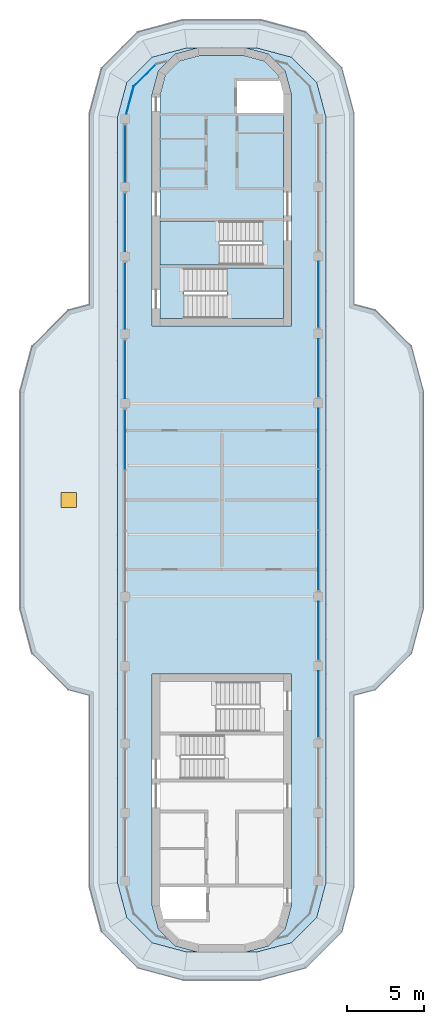
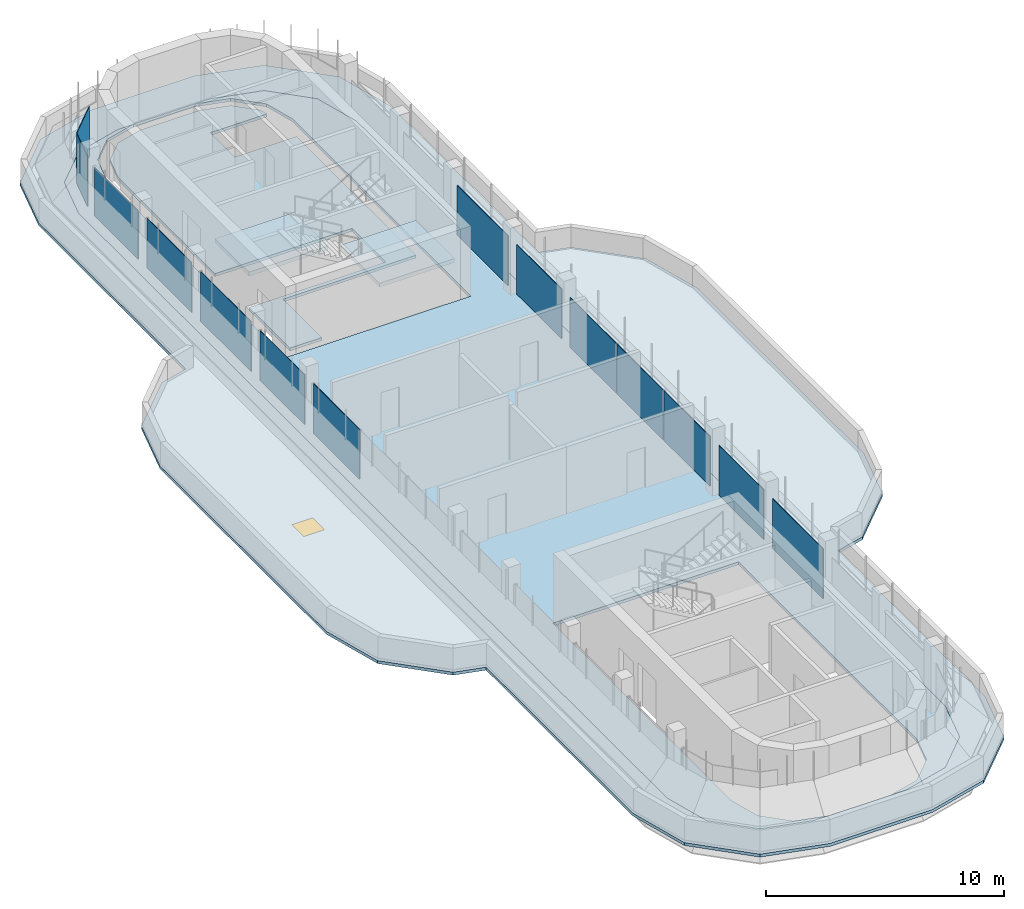
# One storey, part 6 of 12: 14 plates, 5 slabs, 1 window, 1 opening, 6 elements without a shape of their own.
"""IFC4 building model written with IfcOpenShell, lengths in metres."""

from ifc_helpers import new_model, si_unit, direction, frame, origin, origin_2d, place, context, subcontext, project, spatial, polyline, rectangle, outline, extrude, source, transform, mapped, material, layer, layer_set, type_object, element, fill, aggregate, save


model = new_model("IFC4")

# Units and contexts
model_context = context("Model", 3, precision=1e-05, world=origin(), true_north=direction((0.0, 1.0)))
body_context = subcontext(model_context, "Body", "Model", "MODEL_VIEW")
ifc_project = project(units=[si_unit("LENGTHUNIT", "METRE"), si_unit("AREAUNIT", "SQUARE_METRE"), si_unit("VOLUMEUNIT", "CUBIC_METRE"), si_unit("PLANEANGLEUNIT", "RADIAN"), si_unit("MASSUNIT", "GRAM", prefix="KILO")], contexts=[model_context])

# Site, building, storey
site_placement = place(None, origin())
site = spatial("IfcSite", under=ifc_project, at=site_placement, CompositionType="ELEMENT")
building_placement = place(site_placement, origin())
building = spatial("IfcBuilding", under=site, at=building_placement, Name="Zarbagh Exchange Tower", CompositionType="ELEMENT")
storey_placement = place(building_placement, frame((0.0, 0.0, 306.0)))
storey = spatial("IfcBuildingStorey", under=building, at=storey_placement, Name="L75", CompositionType="ELEMENT", Elevation=306.0)

# Slabs
ifc_material_1 = material(Name="Concrete C40/50", Category="concrete")
ifc_layer_1 = layer(ifc_material_1, 0.14990234375)
ifc_layer_set_1 = layer_set([ifc_layer_1], Name="Composite floor slab 150 C40/50")
slab_type_1 = type_object("IfcSlabType", Name="Composite floor slab 150 C40/50", PredefinedType="FLOOR", material=ifc_layer_set_1)
slab_1_placement = place(storey_placement, frame((0.0, 0.0, -0.14990234375)))
element("IfcSlab", 1, at=slab_1_placement, inside=storey, type_object=slab_type_1, Name="S5 composite floor slab", PredefinedType="FLOOR", context=body_context, shape_type="SweptSolid", body=[
    extrude(outline(polyline([(1.5, -29.25), (3.0, -28.84814453125), (4.09814453125, -27.75), (4.5, -26.25), (4.5, -11.25), (-4.5, -11.25), (-4.5, -26.25), (-4.09814453125, -27.75), (-3.0, -28.84814453125), (-1.5, -29.25), (-2.25, -29.25), (-4.5, -28.647216796875), (-6.147216796875, -27.0), (-6.75, -24.75), (-6.75, 24.75), (-6.147216796875, 27.0), (-4.5, 28.647216796875), (-2.25, 29.25), (-1.5, 29.25), (-3.0, 28.84814453125), (-4.09814453125, 27.75), (-4.5, 26.25), (-4.5, 11.25), (4.5, 11.25), (4.5, 26.25), (4.09814453125, 27.75), (3.0, 28.84814453125), (1.5, 29.25), (2.25, 29.25), (4.5, 28.647216796875), (6.147216796875, 27.0), (6.75, 24.75), (6.75, -24.75), (6.147216796875, -27.0), (4.5, -28.647216796875), (2.25, -29.25), (1.5, -29.25)])), origin(), (0.0, 0.0, 1.0), 0.14990234375),
])
ifc_layer_2 = layer(ifc_material_1, 0.14990234375)
ifc_layer_set_2 = layer_set([ifc_layer_2], Name="Core floor slab 150 C40/50")
slab_type_2 = type_object("IfcSlabType", Name="Core floor slab 150 C40/50", PredefinedType="FLOOR", material=ifc_layer_set_2)
slab_2_placement = place(storey_placement, frame((0.0, 0.0, -0.14990234375)))
element("IfcSlab", 2, at=slab_2_placement, inside=storey, type_object=slab_type_2, Name="S17 core N", PredefinedType="FLOOR", context=body_context, shape_type="SweptSolid", body=[
    extrude(outline(polyline([(-4.0, 11.75), (-4.0, 15.199951171875), (2.64990234375, 15.199951171875), (2.64990234375, 18.050048828125), (-4.0, 18.050048828125), (-4.0, 26.18408203125), (-3.64990234375, 27.4912109375), (-2.7412109375, 28.39990234375), (-1.43408203125, 28.75), (1.43408203125, 28.75), (2.7412109375, 28.39990234375), (3.64990234375, 27.4912109375), (3.857666015625, 26.715087890625), (3.754638671875, 27.10009765625), (1.0, 27.10009765625), (1.0, 25.050048828125), (4.0, 25.050048828125), (4.0, 15.0), (-2.449951171875, 15.0), (-2.449951171875, 11.75), (-4.0, 11.75)])), origin(), (0.0, 0.0, 1.0), 0.14990234375),
])

# Slab, opening, window
ifc_layer_3 = layer(ifc_material_1, 0.14990234375)
ifc_layer_set_3 = layer_set([ifc_layer_3], Name="Crown terrace roof slab 150 C40/50")
slab_type_3 = type_object("IfcSlabType", Name="Crown terrace roof slab 150 C40/50", PredefinedType="ROOF", material=ifc_layer_set_3)
slab_3_placement = place(storey_placement, frame((0.0, 0.0, -0.14990234375)))
slab_3 = element("IfcSlab", 3, at=slab_3_placement, inside=storey, type_object=slab_type_3, Name="S11 crown terrace roof slab", PredefinedType="ROOF", context=body_context, shape_type="SweptSolid", body=[
    extrude(outline(polyline([(-2.487060546875, -31.050048828125), (-5.431640625, -30.260986328125), (-7.760986328125, -27.931640625), (-8.550048828125, -24.987060546875), (-8.550048828125, -12.631103515625), (-9.931640625, -12.260986328125), (-12.260986328125, -9.931640625), (-13.050048828125, -6.987060546875), (-13.050048828125, 6.987060546875), (-12.260986328125, 9.931640625), (-9.931640625, 12.260986328125), (-8.550048828125, 12.631103515625), (-8.550048828125, 24.987060546875), (-7.760986328125, 27.931640625), (-5.431640625, 30.260986328125), (-2.487060546875, 31.050048828125), (2.487060546875, 31.050048828125), (5.431640625, 30.260986328125), (7.760986328125, 27.931640625), (8.550048828125, 24.987060546875), (8.550048828125, 12.631103515625), (9.931640625, 12.260986328125), (12.260986328125, 9.931640625), (13.050048828125, 6.987060546875), (13.050048828125, -6.987060546875), (12.260986328125, -9.931640625), (9.931640625, -12.260986328125), (8.550048828125, -12.631103515625), (8.550048828125, -24.987060546875), (7.760986328125, -27.931640625), (5.431640625, -30.260986328125), (2.487060546875, -31.050048828125), (-2.487060546875, -31.050048828125)]), holes=[polyline([(4.5, -28.647216796875), (6.147216796875, -27.0), (6.75, -24.75), (6.75, 24.75), (6.147216796875, 27.0), (4.5, 28.647216796875), (2.25, 29.25), (-2.25, 29.25), (-4.5, 28.647216796875), (-6.147216796875, 27.0), (-6.75, 24.75), (-6.75, -24.75), (-6.147216796875, -27.0), (-4.5, -28.647216796875), (-2.25, -29.25), (2.25, -29.25), (4.5, -28.647216796875)])]), origin(), (0.0, 0.0, 1.0), 0.14990234375),
])
opening_placement = place(slab_3_placement, frame((-9.89990234375, 0.0, 0.0)))
opening = element("IfcOpeningElement", 4, at=opening_placement, cuts=slab_3, Name="Opening RH01", PredefinedType="OPENING", context=body_context, shape_type="SweptSolid", body=[
    extrude(rectangle(XDim=1.0, YDim=1.0, at=origin_2d()), frame((0.0, 0.0, -0.010009765625)), (0.0, 0.0, 1.0), 0.169921875),
])
ifc_material_2 = material(Name="Aluminium", Category="aluminium")
window_type = type_object("IfcWindowType", Name="Roof access hatch, insulated aluminium", PartitioningType="SINGLE_PANEL", PredefinedType="SKYLIGHT", material=ifc_material_2)
window_placement = place(opening_placement, frame((0.0, 0.0, 0.099853515625)))
window = element("IfcWindow", 5, at=window_placement, inside=storey, type_object=window_type, Name="RH01 roof access hatch", OverallHeight=1.0, OverallWidth=1.0, PartitioningType="SINGLE_PANEL", PredefinedType="SKYLIGHT", context=body_context, shape_type="SweptSolid", body=[
    extrude(rectangle(XDim=1.0, YDim=1.0, at=origin_2d()), origin(), (0.0, 0.0, 1.0), 0.050048828125),
])
fill(opening, window)

# Stair, slab
stair_type = type_object("IfcStairType", Name="Exit stair two-flight half-turn", PredefinedType="HALF_TURN_STAIR", material=ifc_material_1)
stair_1_placement = place(storey_placement, origin())
stair_1 = element("IfcStair", 6, at=stair_1_placement, inside=storey, type_object=stair_type, Name="exit stair ST1", PredefinedType="HALF_TURN_STAIR")
ifc_layer_4 = layer(ifc_material_1, 0.199951171875)
ifc_layer_set_4 = layer_set([ifc_layer_4], Name="Stair landing 200 mm")
slab_type_4 = type_object("IfcSlabType", Name="Stair landing 200 mm", PredefinedType="LANDING", material=ifc_layer_set_4)
slab_4_placement = place(storey_placement, frame((0.0, 0.0, 1.60009765625)))
slab_4 = element("IfcSlab", 7, at=slab_4_placement, type_object=slab_type_4, Name="ST1 landing 1", PredefinedType="LANDING", context=body_context, shape_type="SweptSolid", body=[
    extrude(outline(polyline([(-0.14990234375, 18.050048828125), (-4.0, 18.050048828125), (-4.0, 15.199951171875), (-0.14990234375, 15.199951171875), (-0.14990234375, 18.050048828125)])), origin(), (0.0, 0.0, 1.0), 0.199951171875),
])
aggregate(stair_1, [slab_4])

stair_2_placement = place(storey_placement, origin())
stair_2 = element("IfcStair", 8, at=stair_2_placement, inside=storey, type_object=stair_type, Name="exit stair ST2", PredefinedType="HALF_TURN_STAIR")
slab_5_placement = place(storey_placement, frame((0.0, 0.0, 1.60009765625)))
slab_5 = element("IfcSlab", 9, at=slab_5_placement, type_object=slab_type_4, Name="ST2 landing 1", PredefinedType="LANDING", context=body_context, shape_type="SweptSolid", body=[
    extrude(outline(polyline([(0.35009765625, 11.75), (4.0, 11.75), (4.0, 15.0), (0.35009765625, 15.0), (0.35009765625, 11.75)])), origin(), (0.0, 0.0, 1.0), 0.199951171875),
])
aggregate(stair_2, [slab_5])

# Curtain wall, plate
ifc_material_3 = material(Name="Anodised aluminium frame and glazing", Category="aluminium")
curtain_wall_type = type_object("IfcCurtainWallType", Name="CWF Crown tier glazing", PredefinedType="NOTDEFINED", material=ifc_material_3)
curtain_wall_1_placement = place(storey_placement, origin())
curtain_wall_1 = element("IfcCurtainWall", 10, at=curtain_wall_1_placement, inside=storey, type_object=curtain_wall_type, Name="CWF25 curtain wall", PredefinedType="NOTDEFINED")
ifc_material_4 = material(Name="Low-e double glazed unit, 6+12+6 mm")
ifc_layer_5 = layer(ifc_material_4, 0.028076171875)
ifc_layer_set_5 = layer_set([ifc_layer_5], Name="PAF Glazing panel, Low-e double glazed unit, 6+12+6 mm")
plate_type = type_object("IfcPlateType", Name="PAF Glazing panel, Low-e double glazed unit, 6+12+6 mm", PredefinedType="CURTAIN_PANEL", material=ifc_layer_set_5)
shared_shape_1 = source(origin(), body_context, "Body", "SweptSolid", [
    extrude(outline(polyline([(0.0, -0.013916015625), (2.061279296875, -0.013916015625), (2.061279296875, 0.013916015625), (0.0, 0.013916015625), (0.0, -0.013916015625)])), origin(), (0.0, 0.0, 1.0), 2.550048828125),
])
placement = place(storey_placement, origin())
plate_1 = element("IfcPlate", 11, at=placement, type_object=plate_type, Name="CWF25 glazing panel 1.1", PredefinedType="CURTAIN_PANEL", context=body_context, shape_type="MappedRepresentation", body=[
    mapped(shared_shape_1, transform((-4.2412109375, 28.19873046875, 0.0), x_axis=(-0.707106781187, -0.707106781187, 0.0), y_axis=(0.707106781187, -0.707106781187, 0.0), z_axis=(0.0, 0.0, 1.0))),
])
aggregate(curtain_wall_1, [plate_1])

curtain_wall_2_placement = place(storey_placement, origin())
curtain_wall_2 = element("IfcCurtainWall", 12, at=curtain_wall_2_placement, inside=storey, type_object=curtain_wall_type, Name="CWF26 curtain wall", PredefinedType="NOTDEFINED")
shared_shape_2 = source(origin(), body_context, "Body", "SweptSolid", [
    extrude(outline(polyline([(0.0, -0.013916015625), (1.81298828125, -0.013916015625), (1.81298828125, 0.013916015625), (0.0, 0.013916015625), (0.0, -0.013916015625)])), origin(), (0.0, 0.0, 1.0), 2.550048828125),
])
plate_2 = element("IfcPlate", 13, at=placement, type_object=plate_type, Name="CWF26 glazing panel 1.1", PredefinedType="CURTAIN_PANEL", context=body_context, shape_type="MappedRepresentation", body=[
    mapped(shared_shape_2, transform((-5.69873046875, 26.7412109375, 0.0), x_axis=(-0.258824779902, -0.965924289636, 0.0), y_axis=(0.965924289636, -0.258824779902, 0.0), z_axis=(0.0, 0.0, 1.0))),
])
aggregate(curtain_wall_2, [plate_2])

curtain_wall_3_placement = place(storey_placement, origin())
curtain_wall_3 = element("IfcCurtainWall", 14, at=curtain_wall_3_placement, inside=storey, type_object=curtain_wall_type, Name="CWF50 curtain wall", PredefinedType="NOTDEFINED")
shared_shape_3 = source(origin(), body_context, "Body", "SweptSolid", [
    extrude(outline(polyline([(0.0, -0.013916015625), (3.659912109375, -0.013916015625), (3.659912109375, 0.013916015625), (0.0, 0.013916015625), (0.0, -0.013916015625)])), origin(), (0.0, 0.0, 1.0), 2.489990234375),
])
plate_3 = element("IfcPlate", 15, at=placement, type_object=plate_type, Name="CWF50 glazing panel 1.1", PredefinedType="CURTAIN_PANEL", context=body_context, shape_type="MappedRepresentation", body=[
    mapped(shared_shape_3, transform((-6.25, 24.25, 0.0), x_axis=(0.0, -1.0, 0.0), y_axis=(1.0, 0.0, 0.0), z_axis=(0.0, 0.0, 1.0))),
])

# Curtain wall, plates
curtain_wall_4_placement = place(storey_placement, origin())
curtain_wall_4 = element("IfcCurtainWall", 16, at=curtain_wall_4_placement, inside=storey, type_object=curtain_wall_type, Name="CWF49 curtain wall", PredefinedType="NOTDEFINED")
shared_shape_4 = source(origin(), body_context, "Body", "SweptSolid", [
    extrude(outline(polyline([(0.0, -0.013916015625), (3.760009765625, -0.013916015625), (3.760009765625, 0.013916015625), (0.0, 0.013916015625), (0.0, -0.013916015625)])), origin(), (0.0, 0.0, 1.0), 2.550048828125),
])
plate_4 = element("IfcPlate", 17, at=placement, type_object=plate_type, Name="CWF49 glazing panel 4.1", PredefinedType="CURTAIN_PANEL", context=body_context, shape_type="MappedRepresentation", body=[
    mapped(shared_shape_4, transform((6.25, -10.349853515625, 0.0), x_axis=(0.0, 1.0, 0.0), y_axis=(-1.0, 0.0, 0.0), z_axis=(0.0, 0.0, 1.0))),
])
plate_5 = element("IfcPlate", 18, at=placement, type_object=plate_type, Name="CWF49 glazing panel 6.1", PredefinedType="CURTAIN_PANEL", context=body_context, shape_type="MappedRepresentation", body=[
    mapped(shared_shape_4, transform((6.25, 6.650146484375, 0.0), x_axis=(0.0, 1.0, 0.0), y_axis=(-1.0, 0.0, 0.0), z_axis=(0.0, 0.0, 1.0))),
])

# Plate
plate_6 = element("IfcPlate", 19, at=placement, type_object=plate_type, Name="CWF50 glazing panel 2.1", PredefinedType="CURTAIN_PANEL", context=body_context, shape_type="MappedRepresentation", body=[
    mapped(shared_shape_4, transform((-6.25, 19.849853515625, 0.0), x_axis=(0.0, -1.0, 0.0), y_axis=(1.0, 0.0, 0.0), z_axis=(0.0, 0.0, 1.0))),
])

plate_7 = element("IfcPlate", 20, at=placement, type_object=plate_type, Name="CWF50 glazing panel 4.1", PredefinedType="CURTAIN_PANEL", context=body_context, shape_type="MappedRepresentation", body=[
    mapped(shared_shape_4, transform((-6.25, 10.349853515625, 0.0), x_axis=(0.0, -1.0, 0.0), y_axis=(1.0, 0.0, 0.0), z_axis=(0.0, 0.0, 1.0))),
])

shared_shape_5 = source(origin(), body_context, "Body", "SweptSolid", [
    extrude(outline(polyline([(0.0, -0.013916015625), (4.260009765625, -0.013916015625), (4.260009765625, 0.013916015625), (0.0, 0.013916015625), (0.0, -0.013916015625)])), origin(), (0.0, 0.0, 1.0), 2.550048828125),
])
plate_8 = element("IfcPlate", 21, at=placement, type_object=plate_type, Name="CWF49 glazing panel 3.1", PredefinedType="CURTAIN_PANEL", context=body_context, shape_type="MappedRepresentation", body=[
    mapped(shared_shape_5, transform((6.25, -15.349853515625, 0.0), x_axis=(0.0, 1.0, 0.0), y_axis=(-1.0, 0.0, 0.0), z_axis=(0.0, 0.0, 1.0))),
])

plate_9 = element("IfcPlate", 22, at=placement, type_object=plate_type, Name="CWF49 glazing panel 7.1", PredefinedType="CURTAIN_PANEL", context=body_context, shape_type="MappedRepresentation", body=[
    mapped(shared_shape_5, transform((6.25, 11.150146484375, 0.0), x_axis=(0.0, 1.0, 0.0), y_axis=(-1.0, 0.0, 0.0), z_axis=(0.0, 0.0, 1.0))),
])

plate_10 = element("IfcPlate", 23, at=placement, type_object=plate_type, Name="CWF50 glazing panel 3.1", PredefinedType="CURTAIN_PANEL", context=body_context, shape_type="MappedRepresentation", body=[
    mapped(shared_shape_5, transform((-6.25, 15.349853515625, 0.0), x_axis=(0.0, -1.0, 0.0), y_axis=(1.0, 0.0, 0.0), z_axis=(0.0, 0.0, 1.0))),
])

shared_shape_6 = source(origin(), body_context, "Body", "SweptSolid", [
    extrude(outline(polyline([(0.0, -0.013916015625), (3.8798828125, -0.013916015625), (3.8798828125, 0.013916015625), (0.0, 0.013916015625), (0.0, -0.013916015625)])), origin(), (0.0, 0.0, 1.0), 2.550048828125),
])
plate_11 = element("IfcPlate", 24, at=placement, type_object=plate_type, Name="CWF49 glazing panel 5.1", PredefinedType="CURTAIN_PANEL", context=body_context, shape_type="MappedRepresentation", body=[
    mapped(shared_shape_6, transform((6.25, -5.849853515625, 0.0), x_axis=(0.0, 1.0, 0.0), y_axis=(-1.0, 0.0, 0.0), z_axis=(0.0, 0.0, 1.0))),
])

plate_12 = element("IfcPlate", 25, at=placement, type_object=plate_type, Name="CWF49 glazing panel 5.2", PredefinedType="CURTAIN_PANEL", context=body_context, shape_type="MappedRepresentation", body=[
    mapped(shared_shape_6, transform((6.25, -1.909912109375, 0.0), x_axis=(0.0, 1.0, 0.0), y_axis=(-1.0, 0.0, 0.0), z_axis=(0.0, 0.0, 1.0))),
])

plate_13 = element("IfcPlate", 26, at=placement, type_object=plate_type, Name="CWF49 glazing panel 5.3", PredefinedType="CURTAIN_PANEL", context=body_context, shape_type="MappedRepresentation", body=[
    mapped(shared_shape_6, transform((6.25, 2.030029296875, 0.0), x_axis=(0.0, 1.0, 0.0), y_axis=(-1.0, 0.0, 0.0), z_axis=(0.0, 0.0, 1.0))),
])

aggregate(curtain_wall_4, [plate_8, plate_4, plate_11, plate_12, plate_13, plate_5, plate_9])

plate_14 = element("IfcPlate", 27, at=placement, type_object=plate_type, Name="CWF50 glazing panel 5.1", PredefinedType="CURTAIN_PANEL", context=body_context, shape_type="MappedRepresentation", body=[
    mapped(shared_shape_6, transform((-6.25, 5.849853515625, 0.0), x_axis=(0.0, -1.0, 0.0), y_axis=(1.0, 0.0, 0.0), z_axis=(0.0, 0.0, 1.0))),
])

aggregate(curtain_wall_3, [plate_3, plate_6, plate_10, plate_7, plate_14])

save(model, "model.ifc")
